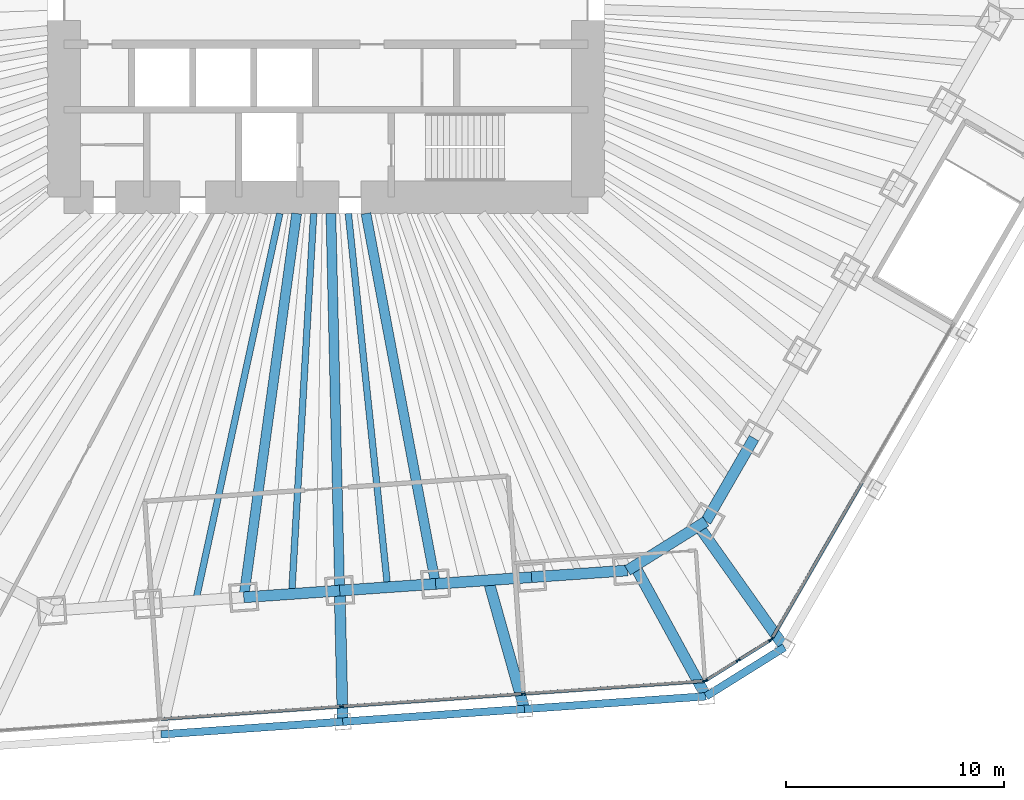
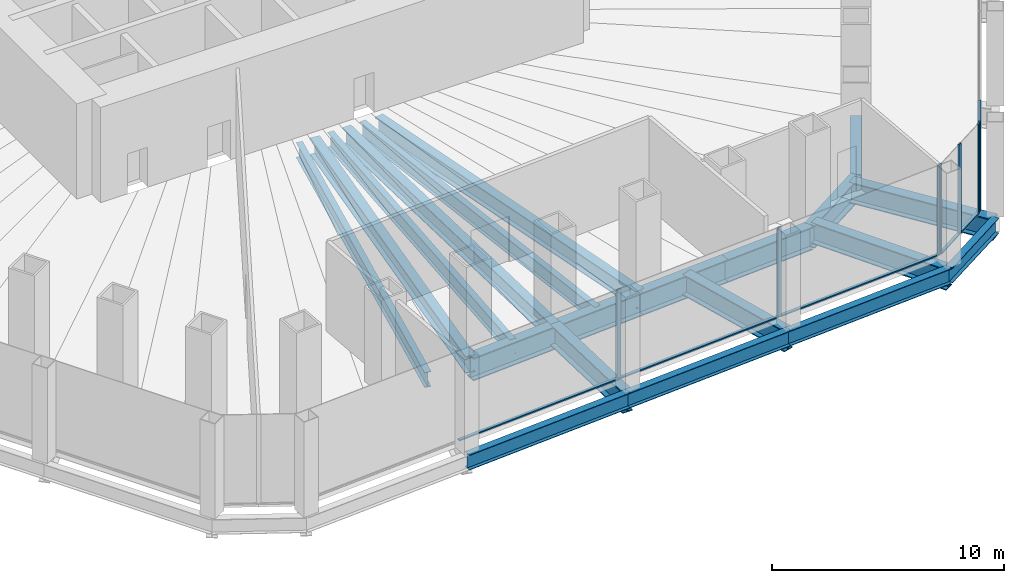
# One storey, part 4 of 18: 20 beams, 13 members, 3 elements without a shape of their own.
"""IFC4 building model written with IfcOpenShell, lengths in metres."""

from ifc_helpers import new_model, si_unit, direction, frame, origin, origin_2d, place, context, subcontext, project, spatial, rectangle, i_section, extrude, material, material_profile, profile_set, type_object, element, aggregate, save


model = new_model("IFC4")

# Units and contexts
model_context = context("Model", 3, precision=1e-05, world=origin(), true_north=direction((0.0, 1.0)))
body_context = subcontext(model_context, "Body", "Model", "MODEL_VIEW")
ifc_project = project(units=[si_unit("LENGTHUNIT", "METRE"), si_unit("AREAUNIT", "SQUARE_METRE"), si_unit("VOLUMEUNIT", "CUBIC_METRE"), si_unit("PLANEANGLEUNIT", "RADIAN"), si_unit("MASSUNIT", "GRAM", prefix="KILO")], contexts=[model_context])

# Site, building, storey
site_placement = place(None, origin())
site = spatial("IfcSite", under=ifc_project, at=site_placement, CompositionType="ELEMENT")
building_placement = place(site_placement, origin())
building = spatial("IfcBuilding", under=site, at=building_placement, Name="Qingtian Harvest Tower", CompositionType="ELEMENT")
storey_placement = place(building_placement, frame((0.0, 0.0, 12.0)))
storey = spatial("IfcBuildingStorey", under=building, at=storey_placement, Name="L02", CompositionType="ELEMENT", Elevation=12.0)

# Beams
ifc_material_1 = material(Name="Steel SM570MC", Category="steel")
ifc_material_profile_1 = material_profile(ifc_material_1, i_section(OverallWidth=0.449951171875, OverallDepth=0.89990234375, WebThickness=0.02197265625, FlangeThickness=0.044921875, at=origin_2d()), Name="H900x450x22x45")
ifc_profile_set_1 = profile_set([ifc_material_profile_1], Name="Steel SM570MC")
beam_type_1 = type_object("IfcBeamType", Name="Floor beam FB5 H900x450x22x45", PredefinedType="BEAM", material=ifc_profile_set_1)
beam_1_placement = place(storey_placement, frame((5.022705078125, -26.714599609375, -0.699951171875), z_axis=(-0.184782942099, 0.98277935688, 0.0), x_axis=(-0.98277935688, -0.184782942099, 0.0)))
element("IfcBeam", 1, at=beam_1_placement, inside=storey, type_object=beam_type_1, Name="Floor beam FB5 S2", PredefinedType="BEAM", context=body_context, shape_type="SweptSolid", body=[
    extrude(i_section(OverallWidth=0.449951171875, OverallDepth=0.89990234375, WebThickness=0.02197265625, FlangeThickness=0.044921875, at=origin_2d()), origin(), (0.0, 0.0, 1.0), 17.261962890625),
])
beam_2_placement = place(storey_placement, frame((0.62890625, -27.02197265625, -0.699951171875), z_axis=(-0.023274161941, 0.999729120005, 0.0), x_axis=(-0.999729120005, -0.023274161941, 0.0)))
element("IfcBeam", 2, at=beam_2_placement, inside=storey, type_object=beam_type_1, Name="Floor beam FB5 S3", PredefinedType="BEAM", context=body_context, shape_type="SweptSolid", body=[
    extrude(i_section(OverallWidth=0.449951171875, OverallDepth=0.89990234375, WebThickness=0.02197265625, FlangeThickness=0.044921875, at=origin_2d()), origin(), (0.0, 0.0, 1.0), 17.276611328125),
])
beam_3_placement = place(storey_placement, frame((-3.76513671875, -27.3291015625, -0.699951171875), z_axis=(0.136480966577, 0.990642693287, 0.0), x_axis=(-0.990642693287, 0.136480966577, 0.0)))
element("IfcBeam", 3, at=beam_3_placement, inside=storey, type_object=beam_type_1, Name="Floor beam FB5 S4", PredefinedType="BEAM", context=body_context, shape_type="SweptSolid", body=[
    extrude(i_section(OverallWidth=0.449951171875, OverallDepth=0.89990234375, WebThickness=0.02197265625, FlangeThickness=0.044921875, at=origin_2d()), origin(), (0.0, 0.0, 1.0), 17.7451171875),
])
ifc_material_2 = material(Name="Steel SM570MC", Category="steel")
ifc_material_profile_2 = material_profile(ifc_material_2, i_section(OverallWidth=0.5, OverallDepth=1.10009765625, WebThickness=0.02490234375, FlangeThickness=0.050048828125, at=origin_2d()), Name="H1100x500x25x50")
ifc_profile_set_2 = profile_set([ifc_material_profile_2], Name="Steel SM570MC")
beam_type_2 = type_object("IfcBeamType", Name="Floor beam FB6 H1100x500x25x50", PredefinedType="BEAM", material=ifc_profile_set_2)
for number, where, z_axis, x_axis, name in (
    (4, (21.005615234375, -29.6171875, -0.800048828125), (-0.578520766402, 0.81566765465, 0.0), (-0.81566765465, -0.578520766402, 0.0), "Podium floor beam FB6 SE4"),
    (5, (17.411376953125, -31.863037109375, -0.800048828125), (-0.479497824653, 0.877543067976, 0.0), (-0.877543067976, -0.479497824653, 0.0), "Podium floor beam FB6 S0"),
):
    element("IfcBeam", number, at=place(storey_placement, frame(where, z_axis=z_axis, x_axis=x_axis)), inside=storey, type_object=beam_type_2, Name=name, PredefinedType="BEAM", context=body_context, shape_type="SweptSolid", body=[
        extrude(i_section(OverallWidth=0.5, OverallDepth=1.10009765625, WebThickness=0.02490234375, FlangeThickness=0.050048828125, at=origin_2d()), origin(), (0.0, 0.0, 1.0), 6.806884765625),
    ])
beam_4_placement = place(storey_placement, frame((9.090087890625, -32.44482421875, -0.800048828125), z_axis=(-0.269801393406, 0.962915992242, 0.0), x_axis=(-0.962915992242, -0.269801393406, 0.0)))
element("IfcBeam", 6, at=beam_4_placement, inside=storey, type_object=beam_type_2, Name="Podium floor beam FB6 S1", PredefinedType="BEAM", context=body_context, shape_type="SweptSolid", body=[
    extrude(i_section(OverallWidth=0.5, OverallDepth=1.10009765625, WebThickness=0.02490234375, FlangeThickness=0.050048828125, at=origin_2d()), origin(), (0.0, 0.0, 1.0), 6.126220703125),
])
beam_5_placement = place(storey_placement, frame((0.7685546875, -33.02685546875, -0.800048828125), z_axis=(-0.023249527749, 0.999729693197, 0.0), x_axis=(-0.999729693197, -0.023249527749, 0.0)))
element("IfcBeam", 7, at=beam_5_placement, inside=storey, type_object=beam_type_2, Name="Podium floor beam FB6 S2", PredefinedType="BEAM", context=body_context, shape_type="SweptSolid", body=[
    extrude(i_section(OverallWidth=0.5, OverallDepth=1.10009765625, WebThickness=0.02490234375, FlangeThickness=0.050048828125, at=origin_2d()), origin(), (0.0, 0.0, 1.0), 6.006591796875),
])
ifc_material_3 = material(Name="Steel SN490B", Category="steel")
ifc_material_profile_3 = material_profile(ifc_material_3, i_section(OverallWidth=0.300048828125, OverallDepth=0.800048828125, WebThickness=0.013916015625, FlangeThickness=0.02587890625, at=origin_2d()), Name="H800x300x14x26")
ifc_profile_set_3 = profile_set([ifc_material_profile_3], Name="Steel SN490B")
beam_type_3 = type_object("IfcBeamType", Name="Floor joist J1 H800x300x14x26", PredefinedType="JOIST", material=ifc_profile_set_3)
beam_6_placement = place(storey_placement, frame((2.82568359375, -26.868408203125, -0.64990234375), z_axis=(-0.104590278152, 0.99451539642, 0.0), x_axis=(-0.99451539642, -0.104590278152, 0.0)))
element("IfcBeam", 8, at=beam_6_placement, inside=storey, type_object=beam_type_3, Name="Floor joist J1 S2", PredefinedType="JOIST", context=body_context, shape_type="SweptSolid", body=[
    extrude(i_section(OverallWidth=0.300048828125, OverallDepth=0.800048828125, WebThickness=0.013916015625, FlangeThickness=0.02587890625, at=origin_2d()), origin(), (0.0, 0.0, 1.0), 17.212890625),
])
beam_7_placement = place(storey_placement, frame((-1.568115234375, -27.175537109375, -0.64990234375), z_axis=(0.057613424947, 0.998338967118, 0.0), x_axis=(-0.998338967118, 0.057613424947, 0.0)))
element("IfcBeam", 9, at=beam_7_placement, inside=storey, type_object=beam_type_3, Name="Floor joist J1 S3", PredefinedType="JOIST", context=body_context, shape_type="SweptSolid", body=[
    extrude(i_section(OverallWidth=0.300048828125, OverallDepth=0.800048828125, WebThickness=0.013916015625, FlangeThickness=0.02587890625, at=origin_2d()), origin(), (0.0, 0.0, 1.0), 17.45458984375),
])
beam_8_placement = place(storey_placement, frame((-5.9619140625, -27.48291015625, -0.64990234375), z_axis=(0.211992805661, 0.977271226604, 0.0), x_axis=(-0.977271226604, 0.211992805661, 0.0)))
element("IfcBeam", 10, at=beam_8_placement, inside=storey, type_object=beam_type_3, Name="Floor joist J1 S4", PredefinedType="JOIST", context=body_context, shape_type="SweptSolid", body=[
    extrude(i_section(OverallWidth=0.300048828125, OverallDepth=0.800048828125, WebThickness=0.013916015625, FlangeThickness=0.02587890625, at=origin_2d()), origin(), (0.0, 0.0, 1.0), 18.145263671875),
])

# Curtain wall, member
ifc_material_4 = material(Name="Bronze-anodised aluminium curtain wall", Category="aluminium")
curtain_wall_type = type_object("IfcCurtainWallType", Name="Curtain wall CW1 podium shopfront", PredefinedType="USERDEFINED", material=ifc_material_4)
curtain_wall_1_placement = place(storey_placement, origin())
curtain_wall_1 = element("IfcCurtainWall", 11, at=curtain_wall_1_placement, inside=storey, type_object=curtain_wall_type, Name="Curtain wall CW1 L02 SE2-3", ObjectType="RECESSED CURTAIN WALL", PredefinedType="USERDEFINED")
ifc_material_5 = material(Name="Bronze-anodised aluminium mullion", Category="aluminium")
ifc_material_profile_4 = material_profile(ifc_material_5, rectangle(XDim=0.06494140625, YDim=0.199951171875, at=origin_2d()), Name="AL 65x200")
ifc_profile_set_4 = profile_set([ifc_material_profile_4], Name="Bronze-anodised aluminium mullion")
member_type_1 = type_object("IfcMemberType", Name="Mullion CWM 65x200", PredefinedType="MULLION", material=ifc_profile_set_4)
member_1_placement = place(storey_placement, frame((20.415771484375, -29.239013671875, 0.0), z_axis=(0.0, 0.0, 1.0), x_axis=(0.866025403784, -0.5, 0.0)))
member_1 = element("IfcMember", 12, at=member_1_placement, type_object=member_type_1, Name="CW1 mullion 3", PredefinedType="MULLION", context=body_context, shape_type="SweptSolid", body=[
    extrude(rectangle(XDim=0.06494140625, YDim=0.199951171875, at=origin_2d()), origin(), (0.0, 0.0, 1.0), 4.699951171875),
])

# Curtain wall, members
curtain_wall_2_placement = place(storey_placement, origin())
curtain_wall_2 = element("IfcCurtainWall", 13, at=curtain_wall_2_placement, inside=storey, type_object=curtain_wall_type, Name="Curtain wall CW1 L02 SEC", ObjectType="RECESSED CURTAIN WALL", PredefinedType="USERDEFINED")
member_2_placement = place(storey_placement, frame((20.371826171875, -29.284423828125, 0.0), z_axis=(0.0, 0.0, 1.0), x_axis=(0.529919264233, -0.848048096156, 0.0)))
member_2 = element("IfcMember", 14, at=member_2_placement, type_object=member_type_1, Name="CW1 mullion 1", PredefinedType="MULLION", context=body_context, shape_type="SweptSolid", body=[
    extrude(rectangle(XDim=0.06494140625, YDim=0.199951171875, at=origin_2d()), origin(), (0.0, 0.0, 1.0), 4.699951171875),
])
member_3_placement = place(storey_placement, frame((18.881103515625, -30.216064453125, 0.0), z_axis=(0.0, 0.0, 1.0), x_axis=(0.529919264233, -0.848048096156, 0.0)))
member_3 = element("IfcMember", 15, at=member_3_placement, type_object=member_type_1, Name="CW1 mullion 2", PredefinedType="MULLION", context=body_context, shape_type="SweptSolid", body=[
    extrude(rectangle(XDim=0.06494140625, YDim=0.199951171875, at=origin_2d()), origin(), (0.0, 0.0, 1.0), 4.699951171875),
])
member_4_placement = place(storey_placement, frame((17.39013671875, -31.1474609375, 0.0), z_axis=(0.0, 0.0, 1.0), x_axis=(0.529919264233, -0.848048096156, 0.0)))
member_4 = element("IfcMember", 16, at=member_4_placement, type_object=member_type_1, Name="CW1 mullion 3", PredefinedType="MULLION", context=body_context, shape_type="SweptSolid", body=[
    extrude(rectangle(XDim=0.06494140625, YDim=0.199951171875, at=origin_2d()), origin(), (0.0, 0.0, 1.0), 4.699951171875),
])

curtain_wall_3_placement = place(storey_placement, origin())
curtain_wall_3 = element("IfcCurtainWall", 17, at=curtain_wall_3_placement, inside=storey, type_object=curtain_wall_type, Name="Curtain wall CW1 L02 S0-3", ObjectType="RECESSED CURTAIN WALL", PredefinedType="USERDEFINED")
member_5_placement = place(storey_placement, frame((17.330322265625, -31.1669921875, 0.0), z_axis=(0.0, 0.0, 1.0), x_axis=(0.069756473744, -0.99756405026, 0.0)))
member_5 = element("IfcMember", 18, at=member_5_placement, type_object=member_type_1, Name="CW1 mullion 1", PredefinedType="MULLION", context=body_context, shape_type="SweptSolid", body=[
    extrude(rectangle(XDim=0.06494140625, YDim=0.199951171875, at=origin_2d()), origin(), (0.0, 0.0, 1.0), 4.699951171875),
])
member_6_placement = place(storey_placement, frame((9.041259765625, -31.74658203125, 0.0), z_axis=(0.0, 0.0, 1.0), x_axis=(0.069756473744, -0.99756405026, 0.0)))
member_6 = element("IfcMember", 19, at=member_6_placement, type_object=member_type_1, Name="CW1 mullion 2", PredefinedType="MULLION", context=body_context, shape_type="SweptSolid", body=[
    extrude(rectangle(XDim=0.06494140625, YDim=0.199951171875, at=origin_2d()), origin(), (0.0, 0.0, 1.0), 4.699951171875),
])
member_7_placement = place(storey_placement, frame((0.7197265625, -32.32861328125, 0.0), z_axis=(0.0, 0.0, 1.0), x_axis=(0.069756473744, -0.99756405026, 0.0)))
member_7 = element("IfcMember", 20, at=member_7_placement, type_object=member_type_1, Name="CW1 mullion 3", PredefinedType="MULLION", context=body_context, shape_type="SweptSolid", body=[
    extrude(rectangle(XDim=0.06494140625, YDim=0.199951171875, at=origin_2d()), origin(), (0.0, 0.0, 1.0), 4.699951171875),
])

# Beams
ifc_material_6 = material(Name="Steel SN490B", Category="steel")
ifc_material_profile_5 = material_profile(ifc_material_6, i_section(OverallWidth=0.35009765625, OverallDepth=0.800048828125, WebThickness=0.01611328125, FlangeThickness=0.028076171875, at=origin_2d()), Name="H800x350x16x28")
ifc_profile_set_5 = profile_set([ifc_material_profile_5], Name="Steel SN490B")
beam_type_4 = type_object("IfcBeamType", Name="Podium beam PB1 H800x350x16x28", PredefinedType="BEAM", material=ifc_profile_set_5)
beam_9_placement = place(storey_placement, frame((21.005615234375, -29.6171875, -0.64990234375), z_axis=(-0.848056550838, -0.529905733675, 0.0), x_axis=(0.529905733675, -0.848056550838, 0.0)))
element("IfcBeam", 21, at=beam_9_placement, inside=storey, type_object=beam_type_4, Name="Podium edge beam PB1 SE4", PredefinedType="BEAM", context=body_context, shape_type="SweptSolid", body=[
    extrude(i_section(OverallWidth=0.35009765625, OverallDepth=0.800048828125, WebThickness=0.01611328125, FlangeThickness=0.028076171875, at=origin_2d()), origin(), (0.0, 0.0, 1.0), 4.23828125),
])
beam_10_placement = place(storey_placement, frame((17.411376953125, -31.863037109375, -0.64990234375), z_axis=(-0.997564835239, -0.069745247106, 0.0), x_axis=(0.069745247106, -0.997564835239, 0.0)))
element("IfcBeam", 22, at=beam_10_placement, inside=storey, type_object=beam_type_4, Name="Podium edge beam PB1 S0", PredefinedType="BEAM", context=body_context, shape_type="SweptSolid", body=[
    extrude(i_section(OverallWidth=0.35009765625, OverallDepth=0.800048828125, WebThickness=0.01611328125, FlangeThickness=0.028076171875, at=origin_2d()), origin(), (0.0, 0.0, 1.0), 8.341552734375),
])
for number, where, z_axis, x_axis, name in (
    (23, (9.090087890625, -32.44482421875, -0.64990234375), (-0.99756294098, -0.069772335376, 0.0), (0.069772335376, -0.99756294098, 0.0), "Podium edge beam PB1 S1"),
    (24, (0.7685546875, -33.02685546875, -0.64990234375), (-0.997564977604, -0.069743210844, 0.0), (0.069743210844, -0.997564977604, 0.0), "Podium edge beam PB1 S2"),
):
    element("IfcBeam", number, at=place(storey_placement, frame(where, z_axis=z_axis, x_axis=x_axis)), inside=storey, type_object=beam_type_4, Name=name, PredefinedType="BEAM", context=body_context, shape_type="SweptSolid", body=[
        extrude(i_section(OverallWidth=0.35009765625, OverallDepth=0.800048828125, WebThickness=0.01611328125, FlangeThickness=0.028076171875, at=origin_2d()), origin(), (0.0, 0.0, 1.0), 8.341796875),
    ])
ifc_material_7 = material(Name="Steel SM570MC", Category="steel")
ifc_material_profile_6 = material_profile(ifc_material_7, i_section(OverallWidth=0.5, OverallDepth=1.199951171875, WebThickness=0.02490234375, FlangeThickness=0.050048828125, at=origin_2d()), Name="H1200x500x25x50")
ifc_profile_set_6 = profile_set([ifc_material_profile_6], Name="Steel SM570MC")
beam_type_5 = type_object("IfcBeamType", Name="Spandrel beam SB1 H1200x500x25x50", PredefinedType="SPANDREL", material=ifc_profile_set_6)
beam_11_placement = place(storey_placement, frame((19.60693359375, -20.039794921875, -0.85009765625), z_axis=(-0.50001992892, -0.866013897511, 0.0), x_axis=(0.866013897511, -0.50001992892, 0.0)))
element("IfcBeam", 25, at=beam_11_placement, inside=storey, type_object=beam_type_5, Name="Spandrel SB1 SE5", PredefinedType="SPANDREL", context=body_context, shape_type="SweptSolid", body=[
    extrude(i_section(OverallWidth=0.5, OverallDepth=1.199951171875, WebThickness=0.02490234375, FlangeThickness=0.050048828125, at=origin_2d()), origin(), (0.0, 0.0, 1.0), 4.404541015625),
])
beam_12_placement = place(storey_placement, frame((17.404541015625, -23.854248046875, -0.85009765625), z_axis=(-0.848040374245, -0.529931621675, 0.0), x_axis=(0.529931621675, -0.848040374245, 0.0)))
element("IfcBeam", 26, at=beam_12_placement, inside=storey, type_object=beam_type_5, Name="Spandrel SB1 SEC", PredefinedType="SPANDREL", context=body_context, shape_type="SweptSolid", body=[
    extrude(i_section(OverallWidth=0.5, OverallDepth=1.199951171875, WebThickness=0.02490234375, FlangeThickness=0.050048828125, at=origin_2d()), origin(), (0.0, 0.0, 1.0), 4.238037109375),
])
beam_13_placement = place(storey_placement, frame((13.810546875, -26.10009765625, -0.85009765625), z_axis=(-0.997562286406, -0.069781693443, 0.0), x_axis=(0.069781693443, -0.997562286406, 0.0)))
element("IfcBeam", 27, at=beam_13_placement, inside=storey, type_object=beam_type_5, Name="Spandrel SB1 S0", PredefinedType="SPANDREL", context=body_context, shape_type="SweptSolid", body=[
    extrude(i_section(OverallWidth=0.5, OverallDepth=1.199951171875, WebThickness=0.02490234375, FlangeThickness=0.050048828125, at=origin_2d()), origin(), (0.0, 0.0, 1.0), 4.40478515625),
])
for number, where, z_axis, x_axis, name in (
    (28, (9.41650390625, -26.407470703125, -0.85009765625), (-0.997565873714, -0.069730392239, 0.0), (0.069730392239, -0.997565873714, 0.0), "Spandrel SB1 S1"),
    (29, (5.022705078125, -26.714599609375, -0.85009765625), (-0.997562016486, -0.069785551967, 0.0), (0.069785551967, -0.997562016486, 0.0), "Spandrel SB1 S2"),
):
    element("IfcBeam", number, at=place(storey_placement, frame(where, z_axis=z_axis, x_axis=x_axis)), inside=storey, type_object=beam_type_5, Name=name, PredefinedType="SPANDREL", context=body_context, shape_type="SweptSolid", body=[
        extrude(i_section(OverallWidth=0.5, OverallDepth=1.199951171875, WebThickness=0.02490234375, FlangeThickness=0.050048828125, at=origin_2d()), origin(), (0.0, 0.0, 1.0), 4.404541015625),
    ])
beam_14_placement = place(storey_placement, frame((0.62890625, -27.02197265625, -0.85009765625), z_axis=(-0.997566143208, -0.069726536735, 0.0), x_axis=(0.069726536735, -0.997566143208, 0.0)))
element("IfcBeam", 30, at=beam_14_placement, inside=storey, type_object=beam_type_5, Name="Spandrel SB1 S3", PredefinedType="SPANDREL", context=body_context, shape_type="SweptSolid", body=[
    extrude(i_section(OverallWidth=0.5, OverallDepth=1.199951171875, WebThickness=0.02490234375, FlangeThickness=0.050048828125, at=origin_2d()), origin(), (0.0, 0.0, 1.0), 4.40478515625),
])

# Member
ifc_material_8 = material(Name="Bronze-anodised aluminium transom", Category="aluminium")
ifc_material_profile_7 = material_profile(ifc_material_8, rectangle(XDim=0.14990234375, YDim=0.06494140625, at=origin_2d()), Name="AL 65x150")
ifc_profile_set_7 = profile_set([ifc_material_profile_7], Name="Bronze-anodised aluminium transom")
member_type_2 = type_object("IfcMemberType", Name="Transom CWT 65x150", PredefinedType="USERDEFINED", material=ifc_profile_set_7)
member_8_placement = place(storey_placement, frame((24.553955078125, -22.071044921875, 0.032470703125), z_axis=(-0.499986482571, -0.866033207935, 0.0), x_axis=(0.866033207935, -0.499986482571, 0.0)))
member_8 = element("IfcMember", 31, at=member_8_placement, type_object=member_type_2, Name="CW1 transom 2.1", ObjectType="TRANSOM", PredefinedType="USERDEFINED", context=body_context, shape_type="SweptSolid", body=[
    extrude(rectangle(XDim=0.14990234375, YDim=0.06494140625, at=origin_2d()), origin(), (0.0, 0.0, 1.0), 8.244384765625),
])

aggregate(curtain_wall_1, [member_1, member_8])

member_9_placement = place(storey_placement, frame((20.34423828125, -29.301513671875, 0.032470703125), z_axis=(-0.847998304005, -0.529998940003, 0.0), x_axis=(0.529998940003, -0.847998304005, 0.0)))
member_9 = element("IfcMember", 32, at=member_9_placement, type_object=member_type_2, Name="CW1 transom 1.1", ObjectType="TRANSOM", PredefinedType="USERDEFINED", context=body_context, shape_type="SweptSolid", body=[
    extrude(rectangle(XDim=0.14990234375, YDim=0.06494140625, at=origin_2d()), origin(), (0.0, 0.0, 1.0), 1.69287109375),
])

member_10_placement = place(storey_placement, frame((18.853515625, -30.233154296875, 0.032470703125), z_axis=(-0.84803880708, -0.529934129573, 0.0), x_axis=(0.529934129573, -0.84803880708, 0.0)))
member_10 = element("IfcMember", 33, at=member_10_placement, type_object=member_type_2, Name="CW1 transom 2.1", ObjectType="TRANSOM", PredefinedType="USERDEFINED", context=body_context, shape_type="SweptSolid", body=[
    extrude(rectangle(XDim=0.14990234375, YDim=0.06494140625, at=origin_2d()), origin(), (0.0, 0.0, 1.0), 1.693115234375),
])

aggregate(curtain_wall_2, [member_2, member_3, member_4, member_9, member_10])

member_11_placement = place(storey_placement, frame((17.2978515625, -31.169189453125, 0.032470703125), z_axis=(-0.997563132308, -0.069769599825, 0.0), x_axis=(0.069769599825, -0.997563132308, 0.0)))
member_11 = element("IfcMember", 34, at=member_11_placement, type_object=member_type_2, Name="CW1 transom 1.1", ObjectType="TRANSOM", PredefinedType="USERDEFINED", context=body_context, shape_type="SweptSolid", body=[
    extrude(rectangle(XDim=0.14990234375, YDim=0.06494140625, at=origin_2d()), origin(), (0.0, 0.0, 1.0), 8.244140625),
])

member_12_placement = place(storey_placement, frame((9.0087890625, -31.7490234375, 0.032470703125), z_axis=(-0.997565804623, -0.069731380648, 0.0), x_axis=(0.069731380648, -0.997565804623, 0.0)))
member_12 = element("IfcMember", 35, at=member_12_placement, type_object=member_type_2, Name="CW1 transom 2.1", ObjectType="TRANSOM", PredefinedType="USERDEFINED", context=body_context, shape_type="SweptSolid", body=[
    extrude(rectangle(XDim=0.14990234375, YDim=0.06494140625, at=origin_2d()), origin(), (0.0, 0.0, 1.0), 8.27685546875),
])

member_13_placement = place(storey_placement, frame((0.687255859375, -32.330810546875, 0.032470703125), z_axis=(-0.997563752322, -0.069760734328, 0.0), x_axis=(0.069760734328, -0.997563752322, 0.0)))
member_13 = element("IfcMember", 36, at=member_13_placement, type_object=member_type_2, Name="CW1 transom 3.1", ObjectType="TRANSOM", PredefinedType="USERDEFINED", context=body_context, shape_type="SweptSolid", body=[
    extrude(rectangle(XDim=0.14990234375, YDim=0.06494140625, at=origin_2d()), origin(), (0.0, 0.0, 1.0), 8.27685546875),
])

aggregate(curtain_wall_3, [member_5, member_6, member_7, member_11, member_12, member_13])

save(model, "model.ifc")
